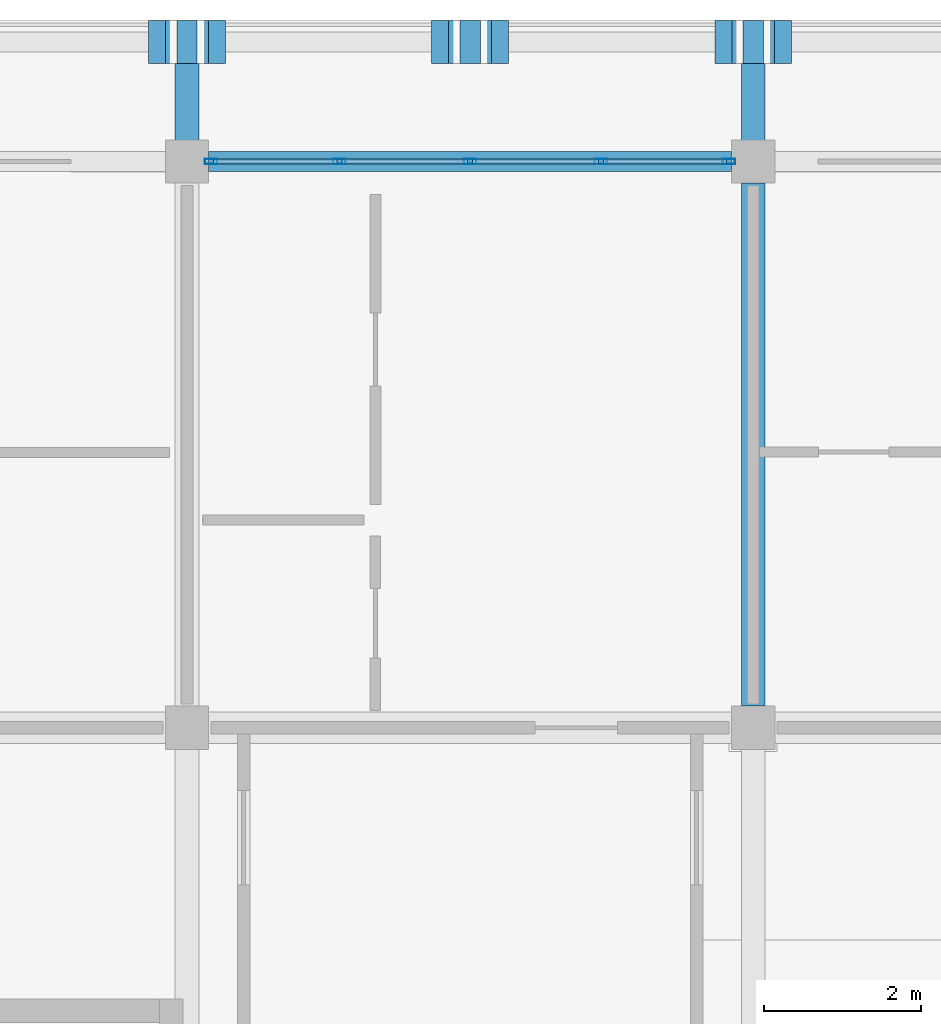
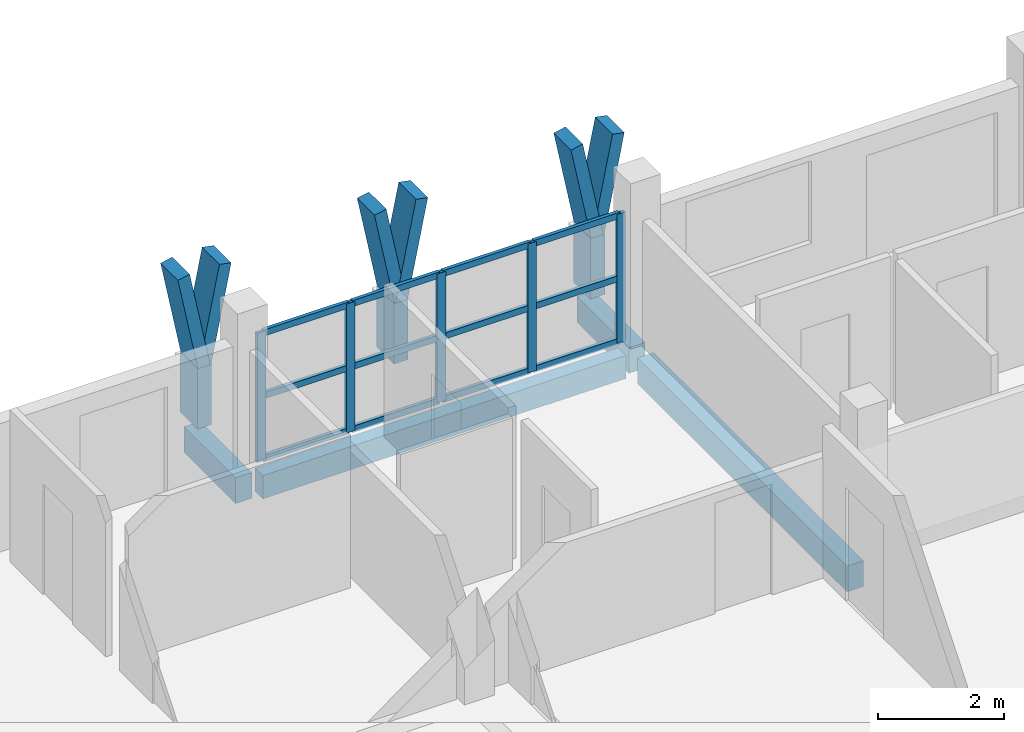
# One storey, part 27 of 65: 26 members, 4 beams, 1 element without a shape of its own.
"""IFC4 building model written with IfcOpenShell, lengths in metres."""

from ifc_helpers import new_model, si_unit, direction, frame, origin, origin_2d, place, context, subcontext, project, spatial, rectangle, hollow_rectangle, extrude, material, material_profile, profile_set, type_object, element, aggregate, save


model = new_model("IFC4")

# Units and contexts
model_context = context("Model", 3, precision=1e-05, world=origin(), true_north=direction((0.0, 1.0)))
body_context = subcontext(model_context, "Body", "Model", "MODEL_VIEW")
ifc_project = project(units=[si_unit("LENGTHUNIT", "METRE"), si_unit("AREAUNIT", "SQUARE_METRE"), si_unit("VOLUMEUNIT", "CUBIC_METRE"), si_unit("PLANEANGLEUNIT", "RADIAN"), si_unit("MASSUNIT", "GRAM", prefix="KILO")], contexts=[model_context])

# Site, building, storey
site_placement = place(None, origin())
site = spatial("IfcSite", under=ifc_project, at=site_placement, CompositionType="ELEMENT")
building_placement = place(site_placement, origin())
building = spatial("IfcBuilding", under=site, at=building_placement, Name="Suanplinth Sawtooth Commons", CompositionType="ELEMENT")
storey_placement = place(building_placement, frame((0.0, 0.0, 28.300048828125)))
storey = spatial("IfcBuildingStorey", under=building, at=storey_placement, Name="L08", CompositionType="ELEMENT", Elevation=28.300048828125)

# Beams
ifc_material_1 = material(Name="Precast concrete C40/50", Category="concrete")
ifc_material_profile_1 = material_profile(ifc_material_1, rectangle(XDim=0.300048828125, YDim=0.5, at=origin_2d()), Name="PC-BM 300x500")
ifc_profile_set_1 = profile_set([ifc_material_profile_1], Name="Precast concrete C40/50")
beam_type_1 = type_object("IfcBeamType", Name="B-07", PredefinedType="BEAM", material=ifc_profile_set_1)
beam_1_placement = place(storey_placement, frame((172.800048828125, 115.47509765625, -0.4599609375), z_axis=(0.0, 1.0, 0.0), x_axis=(-1.0, 0.0, 0.0)))
element("IfcBeam", 1, at=beam_1_placement, inside=storey, type_object=beam_type_1, Name="BMY-L08-B-24-16", PredefinedType="BEAM", context=body_context, shape_type="SweptSolid", body=[
    extrude(rectangle(XDim=0.300048828125, YDim=0.5, at=origin_2d()), origin(), (0.0, 0.0, 1.0), 6.64990234375),
])
for number, where, z_axis, x_axis, name in (
    (2, (165.60009765625, 122.39990234375, -0.429931640625), (0.0, 1.0, 0.0), (-1.0, 0.0, 0.0), "Balcony Outrigger L08-B-N-23"),
    (3, (172.800048828125, 122.39990234375, -0.429931640625), (0.0, 1.0, 0.0), (-1.0, 0.0, 0.0), "Balcony Outrigger L08-B-N-24"),
):
    element("IfcBeam", number, at=place(storey_placement, frame(where, z_axis=z_axis, x_axis=x_axis)), inside=storey, type_object=beam_type_1, Name=name, PredefinedType="BEAM", context=body_context, shape_type="SweptSolid", body=[
        extrude(rectangle(XDim=0.300048828125, YDim=0.5, at=origin_2d()), origin(), (0.0, 0.0, 1.0), 1.64013671875),
    ])
ifc_material_profile_2 = material_profile(ifc_material_1, rectangle(XDim=0.25, YDim=0.449951171875, at=origin_2d()), Name="PC-SP 250x450")
ifc_profile_set_2 = profile_set([ifc_material_profile_2], Name="Precast concrete C40/50")
beam_type_2 = type_object("IfcBeamType", Name="B-09", PredefinedType="SPANDREL", material=ifc_profile_set_2)
beam_2_placement = place(storey_placement, frame((165.875, 122.39990234375, -0.43505859375), z_axis=(1.0, 0.0, 0.0), x_axis=(0.0, 1.0, 0.0)))
element("IfcBeam", 4, at=beam_2_placement, inside=storey, type_object=beam_type_2, Name="BMX-L08-B-23-17", PredefinedType="SPANDREL", context=body_context, shape_type="SweptSolid", body=[
    extrude(rectangle(XDim=0.25, YDim=0.449951171875, at=origin_2d()), origin(), (0.0, 0.0, 1.0), 6.64990234375),
])

# Members
ifc_material_2 = material(Name="Pigmented precast concrete C40/50", Category="concrete")
ifc_material_profile_3 = material_profile(ifc_material_2, rectangle(XDim=0.260009765625, YDim=0.550048828125, at=origin_2d()), Name="PC-FIN 260x550")
ifc_profile_set_3 = profile_set([ifc_material_profile_3], Name="Pigmented precast concrete C40/50")
member_type_1 = type_object("IfcMemberType", Name="M-09", PredefinedType="USERDEFINED", material=ifc_profile_set_3)
for number, where, z_axis, x_axis, name in (
    (5, (165.60009765625, 123.919921875, 0.0), (0.0, 0.0, 1.0), (1.0, 0.0, 0.0), "Y-Blade Stem L08-B-N-04"),
    (6, (169.199951171875, 123.919921875, 0.0), (0.0, 0.0, 1.0), (1.0, 0.0, 0.0), "Y-Blade Stem L08-B-N-05"),
    (7, (172.800048828125, 123.919921875, 0.0), (0.0, 0.0, 1.0), (1.0, 0.0, 0.0), "Y-Blade Stem L08-B-N-06"),
):
    element("IfcMember", number, at=place(storey_placement, frame(where, z_axis=z_axis, x_axis=x_axis)), inside=storey, type_object=member_type_1, Name=name, ObjectType="SHADING FIN", PredefinedType="USERDEFINED", context=body_context, shape_type="SweptSolid", body=[
        extrude(rectangle(XDim=0.260009765625, YDim=0.550048828125, at=origin_2d()), origin(), (0.0, 0.0, 1.0), 1.169921875),
    ])
ifc_material_profile_4 = material_profile(ifc_material_2, rectangle(XDim=0.219970703125, YDim=0.550048828125, at=origin_2d()), Name="PC-FIN 220x550")
ifc_profile_set_4 = profile_set([ifc_material_profile_4], Name="Pigmented precast concrete C40/50")
member_type_2 = type_object("IfcMemberType", Name="M-10", PredefinedType="USERDEFINED", material=ifc_profile_set_4)
member_1_placement = place(storey_placement, frame((165.60009765625, 123.919921875, 1.1298828125), z_axis=(-0.196406855569, 0.0, 0.980522486782), x_axis=(0.980522486782, 0.0, 0.196406855569)))
element("IfcMember", 8, at=member_1_placement, inside=storey, type_object=member_type_2, Name="Y-Blade Arm L L08-B-N-04", ObjectType="SHADING FIN", PredefinedType="USERDEFINED", context=body_context, shape_type="SweptSolid", body=[
    extrude(rectangle(XDim=0.219970703125, YDim=0.550048828125, at=origin_2d()), origin(), (0.0, 0.0, 1.0), 1.93798828125),
])
for number, where, z_axis, x_axis, name in (
    (9, (165.60009765625, 123.919921875, 1.1298828125), (0.196285728346, 0.0, 0.980546741796), (-0.980546741796, 0.0, 0.196285728346), "Y-Blade Arm R L08-B-N-04"),
    (10, (169.199951171875, 123.919921875, 1.1298828125), (-0.196285728346, 0.0, 0.980546741796), (0.980546741796, 0.0, 0.196285728346), "Y-Blade Arm L L08-B-N-05"),
):
    element("IfcMember", number, at=place(storey_placement, frame(where, z_axis=z_axis, x_axis=x_axis)), inside=storey, type_object=member_type_2, Name=name, ObjectType="SHADING FIN", PredefinedType="USERDEFINED", context=body_context, shape_type="SweptSolid", body=[
        extrude(rectangle(XDim=0.219970703125, YDim=0.550048828125, at=origin_2d()), origin(), (0.0, 0.0, 1.0), 1.937744140625),
    ])
for number, where, z_axis, x_axis, name in (
    (11, (169.199951171875, 123.919921875, 1.1298828125), (0.196406855569, 0.0, 0.980522486782), (-0.980522486782, 0.0, 0.196406855569), "Y-Blade Arm R L08-B-N-05"),
    (12, (172.800048828125, 123.919921875, 1.1298828125), (-0.196406855569, 0.0, 0.980522486782), (0.980522486782, 0.0, 0.196406855569), "Y-Blade Arm L L08-B-N-06"),
):
    element("IfcMember", number, at=place(storey_placement, frame(where, z_axis=z_axis, x_axis=x_axis)), inside=storey, type_object=member_type_2, Name=name, ObjectType="SHADING FIN", PredefinedType="USERDEFINED", context=body_context, shape_type="SweptSolid", body=[
        extrude(rectangle(XDim=0.219970703125, YDim=0.550048828125, at=origin_2d()), origin(), (0.0, 0.0, 1.0), 1.93798828125),
    ])
member_2_placement = place(storey_placement, frame((172.800048828125, 123.919921875, 1.1298828125), z_axis=(0.196285728346, 0.0, 0.980546741796), x_axis=(-0.980546741796, 0.0, 0.196285728346)))
element("IfcMember", 13, at=member_2_placement, inside=storey, type_object=member_type_2, Name="Y-Blade Arm R L08-B-N-06", ObjectType="SHADING FIN", PredefinedType="USERDEFINED", context=body_context, shape_type="SweptSolid", body=[
    extrude(rectangle(XDim=0.219970703125, YDim=0.550048828125, at=origin_2d()), origin(), (0.0, 0.0, 1.0), 1.937744140625),
])

# Curtain wall, members
ifc_material_3 = material(Name="Anodized aluminium and low-E glazing", Category="aluminium")
curtain_wall_type = type_object("IfcCurtainWallType", Name="CW-06", PredefinedType="USERDEFINED", material=ifc_material_3)
curtain_wall_placement = place(storey_placement, origin())
curtain_wall = element("IfcCurtainWall", 14, at=curtain_wall_placement, inside=storey, type_object=curtain_wall_type, Name="Curtain Wall CW-L08-B-LOUNGE-23", ObjectType="CURTAIN WALL", PredefinedType="USERDEFINED")
ifc_material_4 = material(Name="Anodized aluminium 6063-T6", Category="aluminium")
ifc_material_profile_5 = material_profile(ifc_material_4, hollow_rectangle(XDim=0.06494140625, YDim=0.159912109375, WallThickness=0.00390625, at=origin_2d()), Name="ALU-MUL 65x160")
ifc_profile_set_5 = profile_set([ifc_material_profile_5], Name="Anodized aluminium 6063-T6")
member_type_3 = type_object("IfcMemberType", Name="M-13", PredefinedType="MULLION", material=ifc_profile_set_5)
member_3_placement = place(storey_placement, frame((165.907470703125, 122.39990234375, 0.0), z_axis=(0.0, 0.0, 1.0), x_axis=(0.0, 1.0, 0.0)))
member_3 = element("IfcMember", 15, at=member_3_placement, type_object=member_type_3, Name="CW-06 mullion 1", PredefinedType="MULLION", context=body_context, shape_type="SweptSolid", body=[
    extrude(hollow_rectangle(XDim=0.06494140625, YDim=0.159912109375, WallThickness=0.00390625, at=origin_2d()), origin(), (0.0, 0.0, 1.0), 2.5),
])
member_4_placement = place(storey_placement, frame((167.53759765625, 122.39990234375, 0.0), z_axis=(0.0, 0.0, 1.0), x_axis=(0.0, 1.0, 0.0)))
member_4 = element("IfcMember", 16, at=member_4_placement, type_object=member_type_3, Name="CW-06 mullion 2", PredefinedType="MULLION", context=body_context, shape_type="SweptSolid", body=[
    extrude(hollow_rectangle(XDim=0.06494140625, YDim=0.159912109375, WallThickness=0.00390625, at=origin_2d()), origin(), (0.0, 0.0, 1.0), 2.5),
])
member_5_placement = place(storey_placement, frame((169.199951171875, 122.39990234375, 0.0), z_axis=(0.0, 0.0, 1.0), x_axis=(0.0, 1.0, 0.0)))
member_5 = element("IfcMember", 17, at=member_5_placement, type_object=member_type_3, Name="CW-06 mullion 3", PredefinedType="MULLION", context=body_context, shape_type="SweptSolid", body=[
    extrude(hollow_rectangle(XDim=0.06494140625, YDim=0.159912109375, WallThickness=0.00390625, at=origin_2d()), origin(), (0.0, 0.0, 1.0), 2.5),
])
member_6_placement = place(storey_placement, frame((170.862548828125, 122.39990234375, 0.0), z_axis=(0.0, 0.0, 1.0), x_axis=(0.0, 1.0, 0.0)))
member_6 = element("IfcMember", 18, at=member_6_placement, type_object=member_type_3, Name="CW-06 mullion 4", PredefinedType="MULLION", context=body_context, shape_type="SweptSolid", body=[
    extrude(hollow_rectangle(XDim=0.06494140625, YDim=0.159912109375, WallThickness=0.00390625, at=origin_2d()), origin(), (0.0, 0.0, 1.0), 2.5),
])
member_7_placement = place(storey_placement, frame((172.492431640625, 122.39990234375, 0.0), z_axis=(0.0, 0.0, 1.0), x_axis=(0.0, 1.0, 0.0)))
member_7 = element("IfcMember", 19, at=member_7_placement, type_object=member_type_3, Name="CW-06 mullion 5", PredefinedType="MULLION", context=body_context, shape_type="SweptSolid", body=[
    extrude(hollow_rectangle(XDim=0.06494140625, YDim=0.159912109375, WallThickness=0.00390625, at=origin_2d()), origin(), (0.0, 0.0, 1.0), 2.5),
])
ifc_material_profile_6 = material_profile(ifc_material_4, hollow_rectangle(XDim=0.06494140625, YDim=0.1201171875, WallThickness=0.00390625, at=origin_2d()), Name="ALU-TRN 65x120")
ifc_profile_set_6 = profile_set([ifc_material_profile_6], Name="Anodized aluminium 6063-T6")
member_type_4 = type_object("IfcMemberType", Name="M-15", PredefinedType="USERDEFINED", material=ifc_profile_set_6)
member_8_placement = place(storey_placement, frame((165.93994140625, 122.39990234375, 0.032470703125), z_axis=(1.0, 0.0, 0.0), x_axis=(0.0, 1.0, 0.0)))
member_8 = element("IfcMember", 20, at=member_8_placement, type_object=member_type_4, Name="CW-06 transom 1.1", ObjectType="TRANSOM", PredefinedType="USERDEFINED", context=body_context, shape_type="SweptSolid", body=[
    extrude(hollow_rectangle(XDim=0.06494140625, YDim=0.1201171875, WallThickness=0.00390625, at=origin_2d()), origin(), (0.0, 0.0, 1.0), 1.56494140625),
])
member_9_placement = place(storey_placement, frame((165.93994140625, 122.39990234375, 1.25), z_axis=(1.0, 0.0, 0.0), x_axis=(0.0, 1.0, 0.0)))
member_9 = element("IfcMember", 21, at=member_9_placement, type_object=member_type_4, Name="CW-06 transom 1.2", ObjectType="TRANSOM", PredefinedType="USERDEFINED", context=body_context, shape_type="SweptSolid", body=[
    extrude(hollow_rectangle(XDim=0.06494140625, YDim=0.1201171875, WallThickness=0.00390625, at=origin_2d()), origin(), (0.0, 0.0, 1.0), 1.56494140625),
])
member_10_placement = place(storey_placement, frame((165.93994140625, 122.39990234375, 2.467529296875), z_axis=(1.0, 0.0, 0.0), x_axis=(0.0, 1.0, 0.0)))
member_10 = element("IfcMember", 22, at=member_10_placement, type_object=member_type_4, Name="CW-06 transom 1.3", ObjectType="TRANSOM", PredefinedType="USERDEFINED", context=body_context, shape_type="SweptSolid", body=[
    extrude(hollow_rectangle(XDim=0.06494140625, YDim=0.1201171875, WallThickness=0.00390625, at=origin_2d()), origin(), (0.0, 0.0, 1.0), 1.56494140625),
])
member_11_placement = place(storey_placement, frame((167.570068359375, 122.39990234375, 0.032470703125), z_axis=(1.0, 0.0, 0.0), x_axis=(0.0, 1.0, 0.0)))
member_11 = element("IfcMember", 23, at=member_11_placement, type_object=member_type_4, Name="CW-06 transom 2.1", ObjectType="TRANSOM", PredefinedType="USERDEFINED", context=body_context, shape_type="SweptSolid", body=[
    extrude(hollow_rectangle(XDim=0.06494140625, YDim=0.1201171875, WallThickness=0.00390625, at=origin_2d()), origin(), (0.0, 0.0, 1.0), 1.597412109375),
])
member_12_placement = place(storey_placement, frame((167.570068359375, 122.39990234375, 1.25), z_axis=(1.0, 0.0, 0.0), x_axis=(0.0, 1.0, 0.0)))
member_12 = element("IfcMember", 24, at=member_12_placement, type_object=member_type_4, Name="CW-06 transom 2.2", ObjectType="TRANSOM", PredefinedType="USERDEFINED", context=body_context, shape_type="SweptSolid", body=[
    extrude(hollow_rectangle(XDim=0.06494140625, YDim=0.1201171875, WallThickness=0.00390625, at=origin_2d()), origin(), (0.0, 0.0, 1.0), 1.597412109375),
])
member_13_placement = place(storey_placement, frame((167.570068359375, 122.39990234375, 2.467529296875), z_axis=(1.0, 0.0, 0.0), x_axis=(0.0, 1.0, 0.0)))
member_13 = element("IfcMember", 25, at=member_13_placement, type_object=member_type_4, Name="CW-06 transom 2.3", ObjectType="TRANSOM", PredefinedType="USERDEFINED", context=body_context, shape_type="SweptSolid", body=[
    extrude(hollow_rectangle(XDim=0.06494140625, YDim=0.1201171875, WallThickness=0.00390625, at=origin_2d()), origin(), (0.0, 0.0, 1.0), 1.597412109375),
])
member_14_placement = place(storey_placement, frame((169.232421875, 122.39990234375, 0.032470703125), z_axis=(1.0, 0.0, 0.0), x_axis=(0.0, 1.0, 0.0)))
member_14 = element("IfcMember", 26, at=member_14_placement, type_object=member_type_4, Name="CW-06 transom 3.1", ObjectType="TRANSOM", PredefinedType="USERDEFINED", context=body_context, shape_type="SweptSolid", body=[
    extrude(hollow_rectangle(XDim=0.06494140625, YDim=0.1201171875, WallThickness=0.00390625, at=origin_2d()), origin(), (0.0, 0.0, 1.0), 1.59765625),
])
member_15_placement = place(storey_placement, frame((169.232421875, 122.39990234375, 1.25), z_axis=(1.0, 0.0, 0.0), x_axis=(0.0, 1.0, 0.0)))
member_15 = element("IfcMember", 27, at=member_15_placement, type_object=member_type_4, Name="CW-06 transom 3.2", ObjectType="TRANSOM", PredefinedType="USERDEFINED", context=body_context, shape_type="SweptSolid", body=[
    extrude(hollow_rectangle(XDim=0.06494140625, YDim=0.1201171875, WallThickness=0.00390625, at=origin_2d()), origin(), (0.0, 0.0, 1.0), 1.59765625),
])
member_16_placement = place(storey_placement, frame((169.232421875, 122.39990234375, 2.467529296875), z_axis=(1.0, 0.0, 0.0), x_axis=(0.0, 1.0, 0.0)))
member_16 = element("IfcMember", 28, at=member_16_placement, type_object=member_type_4, Name="CW-06 transom 3.3", ObjectType="TRANSOM", PredefinedType="USERDEFINED", context=body_context, shape_type="SweptSolid", body=[
    extrude(hollow_rectangle(XDim=0.06494140625, YDim=0.1201171875, WallThickness=0.00390625, at=origin_2d()), origin(), (0.0, 0.0, 1.0), 1.59765625),
])
member_17_placement = place(storey_placement, frame((170.89501953125, 122.39990234375, 0.032470703125), z_axis=(1.0, 0.0, 0.0), x_axis=(0.0, 1.0, 0.0)))
member_17 = element("IfcMember", 29, at=member_17_placement, type_object=member_type_4, Name="CW-06 transom 4.1", ObjectType="TRANSOM", PredefinedType="USERDEFINED", context=body_context, shape_type="SweptSolid", body=[
    extrude(hollow_rectangle(XDim=0.06494140625, YDim=0.1201171875, WallThickness=0.00390625, at=origin_2d()), origin(), (0.0, 0.0, 1.0), 1.56494140625),
])
member_18_placement = place(storey_placement, frame((170.89501953125, 122.39990234375, 1.25), z_axis=(1.0, 0.0, 0.0), x_axis=(0.0, 1.0, 0.0)))
member_18 = element("IfcMember", 30, at=member_18_placement, type_object=member_type_4, Name="CW-06 transom 4.2", ObjectType="TRANSOM", PredefinedType="USERDEFINED", context=body_context, shape_type="SweptSolid", body=[
    extrude(hollow_rectangle(XDim=0.06494140625, YDim=0.1201171875, WallThickness=0.00390625, at=origin_2d()), origin(), (0.0, 0.0, 1.0), 1.56494140625),
])
member_19_placement = place(storey_placement, frame((170.89501953125, 122.39990234375, 2.467529296875), z_axis=(1.0, 0.0, 0.0), x_axis=(0.0, 1.0, 0.0)))
member_19 = element("IfcMember", 31, at=member_19_placement, type_object=member_type_4, Name="CW-06 transom 4.3", ObjectType="TRANSOM", PredefinedType="USERDEFINED", context=body_context, shape_type="SweptSolid", body=[
    extrude(hollow_rectangle(XDim=0.06494140625, YDim=0.1201171875, WallThickness=0.00390625, at=origin_2d()), origin(), (0.0, 0.0, 1.0), 1.56494140625),
])
aggregate(curtain_wall, [member_3, member_4, member_5, member_6, member_7, member_8, member_9, member_10, member_11, member_12, member_13, member_14, member_15, member_16, member_17, member_18, member_19])

save(model, "model.ifc")
